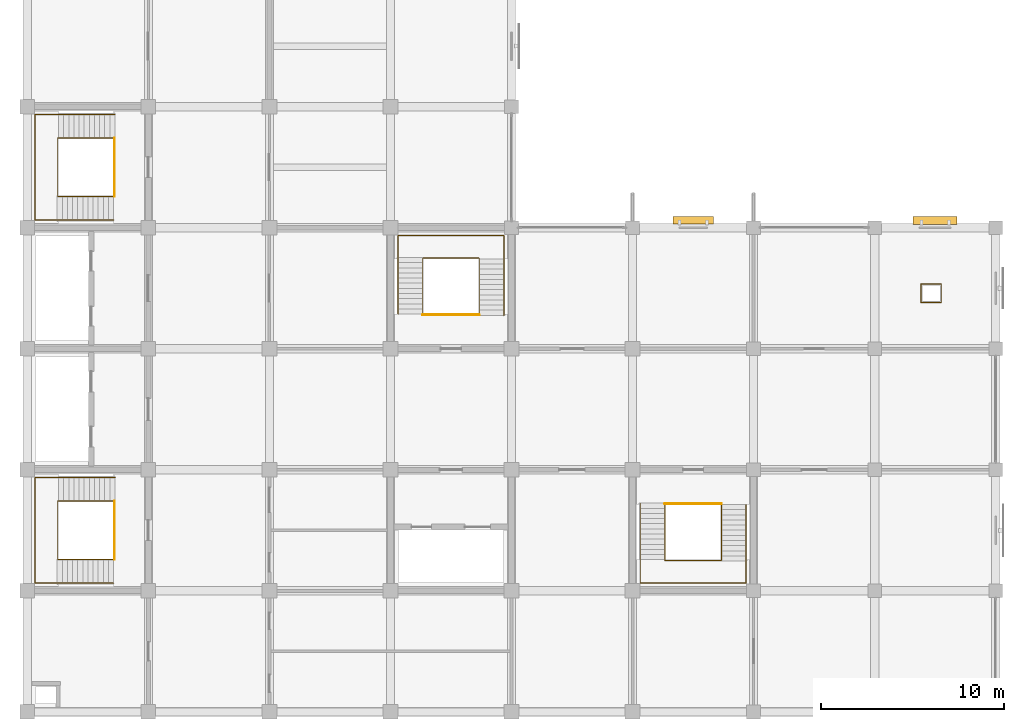
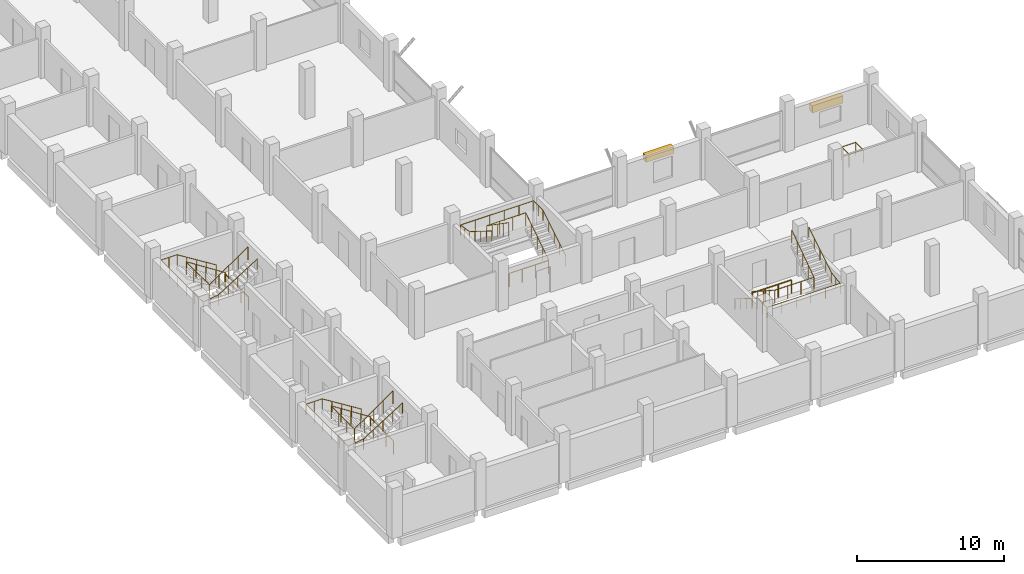
# One storey, part 17 of 18: 13 railings, 2 shading devices.
"""IFC4 building model written with IfcOpenShell, lengths in metres."""

from ifc_helpers import new_model, si_unit, direction, frame, origin, origin_2d, place, context, subcontext, project, spatial, rectangle, circle, extrude, material, type_object, element, save


model = new_model("IFC4")

# Units and contexts
model_context = context("Model", 3, precision=1e-05, world=origin(), true_north=direction((0.0, 1.0)))
body_context = subcontext(model_context, "Body", "Model", "MODEL_VIEW")
ifc_project = project(units=[si_unit("LENGTHUNIT", "METRE"), si_unit("AREAUNIT", "SQUARE_METRE"), si_unit("VOLUMEUNIT", "CUBIC_METRE"), si_unit("PLANEANGLEUNIT", "RADIAN"), si_unit("MASSUNIT", "GRAM", prefix="KILO")], contexts=[model_context])

# Site, building, storey
site_placement = place(None, origin())
site = spatial("IfcSite", under=ifc_project, at=site_placement, CompositionType="ELEMENT")
building_placement = place(site_placement, origin())
building = spatial("IfcBuilding", under=site, at=building_placement, Name="Rusizi Kubbe Research Institute", CompositionType="ELEMENT")
storey_placement = place(building_placement, frame((0.0, 0.0, 22.800048828125)))
storey = spatial("IfcBuildingStorey", under=building, at=storey_placement, Name="L05", CompositionType="ELEMENT", Elevation=22.800048828125)

# Railings
ifc_material_1 = material(Name="Painted Steel Stair Guard", Category="steel")
railing_type_1 = type_object("IfcRailingType", Name="GR-STAIR", PredefinedType="GUARDRAIL", material=ifc_material_1)
railing_1_placement = place(storey_placement, frame((4.780029296875, 11.489990234375, 0.08740234375)))
element("IfcRailing", 1, at=railing_1_placement, inside=storey, type_object=railing_type_1, Name="Stair Inner Well Guard ST1 L05", PredefinedType="GUARDRAIL", context=body_context, shape_type="SweptSolid", body=[
    extrude(circle(Radius=0.02392578125, at=origin_2d()), frame((0.0, 0.0, 1.09619140625), z_axis=(-0.840361383606, 0.0, 0.542026516828), x_axis=(0.0, -1.0, 0.0)), (0.0, 0.0, 1.0), 3.712890625),
    extrude(circle(Radius=0.02392578125, at=origin_2d()), frame((-3.1201171875, 0.0, 3.1083984375), z_axis=(0.0, -1.0, 0.0), x_axis=(1.0, 0.0, 0.0)), (0.0, 0.0, 1.0), 3.179931640625),
    extrude(circle(Radius=0.02392578125, at=origin_2d()), frame((-3.1201171875, -3.179931640625, 3.1083984375), z_axis=(0.82276741766, 0.0, 0.568378198419), x_axis=(0.0, 1.0, 0.0)), (0.0, 0.0, 1.0), 3.69482421875),
    extrude(circle(Radius=0.02099609375, at=origin_2d()), origin(), (0.0, 0.0, 1.0), 1.072021484375),
    extrude(circle(Radius=0.02099609375, at=origin_2d()), frame((-0.780029296875, 0.0, 0.503173828125)), (0.0, 0.0, 1.0), 1.072021484375),
    extrude(circle(Radius=0.02099609375, at=origin_2d()), frame((-1.56005859375, 0.0, 1.00634765625)), (0.0, 0.0, 1.0), 1.072021484375),
    extrude(circle(Radius=0.02099609375, at=origin_2d()), frame((-2.340087890625, 0.0, 1.50927734375)), (0.0, 0.0, 1.0), 1.072021484375),
    extrude(circle(Radius=0.02099609375, at=origin_2d()), frame((-3.1201171875, 0.0, 2.012451171875)), (0.0, 0.0, 1.0), 1.072021484375),
    extrude(circle(Radius=0.02099609375, at=origin_2d()), frame((-3.1201171875, -1.06005859375, 2.012451171875)), (0.0, 0.0, 1.0), 1.072021484375),
    extrude(circle(Radius=0.02099609375, at=origin_2d()), frame((-3.1201171875, -2.119873046875, 2.012451171875)), (0.0, 0.0, 1.0), 1.072021484375),
    extrude(circle(Radius=0.02099609375, at=origin_2d()), frame((-3.1201171875, -3.179931640625, 2.012451171875)), (0.0, 0.0, 1.0), 1.072021484375),
    extrude(circle(Radius=0.02099609375, at=origin_2d()), frame((-2.360107421875, -3.179931640625, 2.53759765625)), (0.0, 0.0, 1.0), 1.072021484375),
    extrude(circle(Radius=0.02099609375, at=origin_2d()), frame((-1.60009765625, -3.179931640625, 3.0625)), (0.0, 0.0, 1.0), 1.072021484375),
    extrude(circle(Radius=0.02099609375, at=origin_2d()), frame((-0.840087890625, -3.179931640625, 3.58740234375)), (0.0, 0.0, 1.0), 1.072021484375),
    extrude(circle(Radius=0.02099609375, at=origin_2d()), frame((-0.080078125, -3.179931640625, 4.112548828125)), (0.0, 0.0, 1.0), 1.072021484375),
])
railing_2_placement = place(storey_placement, frame((4.75, 11.489990234375, 0.0)))
element("IfcRailing", 2, at=railing_2_placement, inside=storey, type_object=railing_type_1, Name="Stair Floor Edge Guard ST1 L05", PredefinedType="GUARDRAIL", context=body_context, shape_type="SweptSolid", body=[
    extrude(circle(Radius=0.02392578125, at=origin_2d()), frame((0.0, 0.0, 1.09619140625), z_axis=(0.0, -1.0, 0.0), x_axis=(1.0, 0.0, 0.0)), (0.0, 0.0, 1.0), 3.179931640625),
    extrude(circle(Radius=0.02099609375, at=origin_2d()), origin(), (0.0, 0.0, 1.0), 1.072021484375),
    extrude(circle(Radius=0.02099609375, at=origin_2d()), frame((0.0, -1.06005859375, 0.0)), (0.0, 0.0, 1.0), 1.072021484375),
    extrude(circle(Radius=0.02099609375, at=origin_2d()), frame((0.0, -2.119873046875, 0.0)), (0.0, 0.0, 1.0), 1.072021484375),
    extrude(circle(Radius=0.02099609375, at=origin_2d()), frame((0.0, -3.179931640625, 0.0)), (0.0, 0.0, 1.0), 1.072021484375),
])
railing_3_placement = place(storey_placement, frame((4.780029296875, 31.2900390625, 0.08740234375)))
element("IfcRailing", 3, at=railing_3_placement, inside=storey, type_object=railing_type_1, Name="Stair Inner Well Guard ST2 L05", PredefinedType="GUARDRAIL", context=body_context, shape_type="SweptSolid", body=[
    extrude(circle(Radius=0.02392578125, at=origin_2d()), frame((0.0, 0.0, 1.09619140625), z_axis=(-0.840361383606, 0.0, 0.542026516828), x_axis=(0.0, -1.0, 0.0)), (0.0, 0.0, 1.0), 3.712890625),
    extrude(circle(Radius=0.02392578125, at=origin_2d()), frame((-3.1201171875, 0.0, 3.1083984375), z_axis=(0.0, -1.0, 0.0), x_axis=(1.0, 0.0, 0.0)), (0.0, 0.0, 1.0), 3.179931640625),
    extrude(circle(Radius=0.02392578125, at=origin_2d()), frame((-3.1201171875, -3.179931640625, 3.1083984375), z_axis=(0.82276741766, 0.0, 0.568378198419), x_axis=(0.0, 1.0, 0.0)), (0.0, 0.0, 1.0), 3.69482421875),
    extrude(circle(Radius=0.02099609375, at=origin_2d()), origin(), (0.0, 0.0, 1.0), 1.072021484375),
    extrude(circle(Radius=0.02099609375, at=origin_2d()), frame((-0.780029296875, 0.0, 0.503173828125)), (0.0, 0.0, 1.0), 1.072021484375),
    extrude(circle(Radius=0.02099609375, at=origin_2d()), frame((-1.56005859375, 0.0, 1.00634765625)), (0.0, 0.0, 1.0), 1.072021484375),
    extrude(circle(Radius=0.02099609375, at=origin_2d()), frame((-2.340087890625, 0.0, 1.50927734375)), (0.0, 0.0, 1.0), 1.072021484375),
    extrude(circle(Radius=0.02099609375, at=origin_2d()), frame((-3.1201171875, 0.0, 2.012451171875)), (0.0, 0.0, 1.0), 1.072021484375),
    extrude(circle(Radius=0.02099609375, at=origin_2d()), frame((-3.1201171875, -1.06005859375, 2.012451171875)), (0.0, 0.0, 1.0), 1.072021484375),
    extrude(circle(Radius=0.02099609375, at=origin_2d()), frame((-3.1201171875, -2.119873046875, 2.012451171875)), (0.0, 0.0, 1.0), 1.072021484375),
    extrude(circle(Radius=0.02099609375, at=origin_2d()), frame((-3.1201171875, -3.179931640625, 2.012451171875)), (0.0, 0.0, 1.0), 1.072021484375),
    extrude(circle(Radius=0.02099609375, at=origin_2d()), frame((-2.360107421875, -3.179931640625, 2.53759765625)), (0.0, 0.0, 1.0), 1.072021484375),
    extrude(circle(Radius=0.02099609375, at=origin_2d()), frame((-1.60009765625, -3.179931640625, 3.0625)), (0.0, 0.0, 1.0), 1.072021484375),
    extrude(circle(Radius=0.02099609375, at=origin_2d()), frame((-0.840087890625, -3.179931640625, 3.58740234375)), (0.0, 0.0, 1.0), 1.072021484375),
    extrude(circle(Radius=0.02099609375, at=origin_2d()), frame((-0.080078125, -3.179931640625, 4.112548828125)), (0.0, 0.0, 1.0), 1.072021484375),
])
railing_4_placement = place(storey_placement, frame((4.75, 31.2900390625, 0.0)))
element("IfcRailing", 4, at=railing_4_placement, inside=storey, type_object=railing_type_1, Name="Stair Floor Edge Guard ST2 L05", PredefinedType="GUARDRAIL", context=body_context, shape_type="SweptSolid", body=[
    extrude(circle(Radius=0.02392578125, at=origin_2d()), frame((0.0, 0.0, 1.09619140625), z_axis=(0.0, -1.0, 0.0), x_axis=(1.0, 0.0, 0.0)), (0.0, 0.0, 1.0), 3.179931640625),
    extrude(circle(Radius=0.02099609375, at=origin_2d()), origin(), (0.0, 0.0, 1.0), 1.072021484375),
    extrude(circle(Radius=0.02099609375, at=origin_2d()), frame((0.0, -1.06005859375, 0.0)), (0.0, 0.0, 1.0), 1.072021484375),
    extrude(circle(Radius=0.02099609375, at=origin_2d()), frame((0.0, -2.119873046875, 0.0)), (0.0, 0.0, 1.0), 1.072021484375),
    extrude(circle(Radius=0.02099609375, at=origin_2d()), frame((0.0, -3.179931640625, 0.0)), (0.0, 0.0, 1.0), 1.072021484375),
])
railing_5_placement = place(storey_placement, frame((24.639892578125, 21.6201171875, 0.08740234375)))
element("IfcRailing", 5, at=railing_5_placement, inside=storey, type_object=railing_type_1, Name="Stair Inner Well Guard ST3 L05", PredefinedType="GUARDRAIL", context=body_context, shape_type="SweptSolid", body=[
    extrude(circle(Radius=0.02392578125, at=origin_2d()), frame((0.0, 0.0, 1.09619140625), z_axis=(0.0, 0.840342063375, 0.542056469865), x_axis=(-1.0, 0.0, 0.0)), (0.0, 0.0, 1.0), 3.712646484375),
    extrude(circle(Radius=0.02392578125, at=origin_2d()), frame((0.0, 3.119873046875, 3.1083984375), z_axis=(-1.0, 0.0, 0.0), x_axis=(0.0, -1.0, 0.0)), (0.0, 0.0, 1.0), 3.079833984375),
    extrude(circle(Radius=0.02392578125, at=origin_2d()), frame((-3.079833984375, 3.119873046875, 3.1083984375), z_axis=(0.0, -0.82276741766, 0.568378198419), x_axis=(1.0, 0.0, 0.0)), (0.0, 0.0, 1.0), 3.69482421875),
    extrude(circle(Radius=0.02099609375, at=origin_2d()), origin(), (0.0, 0.0, 1.0), 1.072021484375),
    extrude(circle(Radius=0.02099609375, at=origin_2d()), frame((0.0, 0.780029296875, 0.503173828125)), (0.0, 0.0, 1.0), 1.072021484375),
    extrude(circle(Radius=0.02099609375, at=origin_2d()), frame((0.0, 1.56005859375, 1.00634765625)), (0.0, 0.0, 1.0), 1.072021484375),
    extrude(circle(Radius=0.02099609375, at=origin_2d()), frame((0.0, 2.33984375, 1.50927734375)), (0.0, 0.0, 1.0), 1.072021484375),
    extrude(circle(Radius=0.02099609375, at=origin_2d()), frame((0.0, 3.119873046875, 2.012451171875)), (0.0, 0.0, 1.0), 1.072021484375),
    extrude(circle(Radius=0.02099609375, at=origin_2d()), frame((-1.026611328125, 3.119873046875, 2.012451171875)), (0.0, 0.0, 1.0), 1.072021484375),
    extrude(circle(Radius=0.02099609375, at=origin_2d()), frame((-2.05322265625, 3.119873046875, 2.012451171875)), (0.0, 0.0, 1.0), 1.072021484375),
    extrude(circle(Radius=0.02099609375, at=origin_2d()), frame((-3.079833984375, 3.119873046875, 2.012451171875)), (0.0, 0.0, 1.0), 1.072021484375),
    extrude(circle(Radius=0.02099609375, at=origin_2d()), frame((-3.079833984375, 2.35986328125, 2.53759765625)), (0.0, 0.0, 1.0), 1.072021484375),
    extrude(circle(Radius=0.02099609375, at=origin_2d()), frame((-3.079833984375, 1.599853515625, 3.0625)), (0.0, 0.0, 1.0), 1.072021484375),
    extrude(circle(Radius=0.02099609375, at=origin_2d()), frame((-3.079833984375, 0.83984375, 3.58740234375)), (0.0, 0.0, 1.0), 1.072021484375),
    extrude(circle(Radius=0.02099609375, at=origin_2d()), frame((-3.079833984375, 0.079833984375, 4.112548828125)), (0.0, 0.0, 1.0), 1.072021484375),
])
railing_6_placement = place(storey_placement, frame((24.639892578125, 21.64990234375, 0.0)))
element("IfcRailing", 6, at=railing_6_placement, inside=storey, type_object=railing_type_1, Name="Stair Floor Edge Guard ST3 L05", PredefinedType="GUARDRAIL", context=body_context, shape_type="SweptSolid", body=[
    extrude(circle(Radius=0.02392578125, at=origin_2d()), frame((0.0, 0.0, 1.09619140625), z_axis=(-1.0, 0.0, 0.0), x_axis=(0.0, -1.0, 0.0)), (0.0, 0.0, 1.0), 3.079833984375),
    extrude(circle(Radius=0.02099609375, at=origin_2d()), origin(), (0.0, 0.0, 1.0), 1.072021484375),
    extrude(circle(Radius=0.02099609375, at=origin_2d()), frame((-1.026611328125, 0.0, 0.0)), (0.0, 0.0, 1.0), 1.072021484375),
    extrude(circle(Radius=0.02099609375, at=origin_2d()), frame((-2.05322265625, 0.0, 0.0)), (0.0, 0.0, 1.0), 1.072021484375),
    extrude(circle(Radius=0.02099609375, at=origin_2d()), frame((-3.079833984375, 0.0, 0.0)), (0.0, 0.0, 1.0), 1.072021484375),
])
railing_7_placement = place(storey_placement, frame((34.760009765625, 11.3798828125, 0.08740234375)))
element("IfcRailing", 7, at=railing_7_placement, inside=storey, type_object=railing_type_1, Name="Stair Inner Well Guard ST4 L05", PredefinedType="GUARDRAIL", context=body_context, shape_type="SweptSolid", body=[
    extrude(circle(Radius=0.02392578125, at=origin_2d()), frame((0.0, 0.0, 1.09619140625), z_axis=(0.0, -0.840342063375, 0.542056469865), x_axis=(1.0, 0.0, 0.0)), (0.0, 0.0, 1.0), 3.712646484375),
    extrude(circle(Radius=0.02392578125, at=origin_2d()), frame((0.0, -3.119873046875, 3.1083984375), z_axis=(1.0, 0.0, 0.0), x_axis=(0.0, 1.0, 0.0)), (0.0, 0.0, 1.0), 3.080078125),
    extrude(circle(Radius=0.02392578125, at=origin_2d()), frame((3.080078125, -3.119873046875, 3.1083984375), z_axis=(0.0, 0.82276741766, 0.568378198419), x_axis=(-1.0, 0.0, 0.0)), (0.0, 0.0, 1.0), 3.69482421875),
    extrude(circle(Radius=0.02099609375, at=origin_2d()), origin(), (0.0, 0.0, 1.0), 1.072021484375),
    extrude(circle(Radius=0.02099609375, at=origin_2d()), frame((0.0, -0.780029296875, 0.503173828125)), (0.0, 0.0, 1.0), 1.072021484375),
    extrude(circle(Radius=0.02099609375, at=origin_2d()), frame((0.0, -1.56005859375, 1.00634765625)), (0.0, 0.0, 1.0), 1.072021484375),
    extrude(circle(Radius=0.02099609375, at=origin_2d()), frame((0.0, -2.33984375, 1.50927734375)), (0.0, 0.0, 1.0), 1.072021484375),
    extrude(circle(Radius=0.02099609375, at=origin_2d()), frame((0.0, -3.119873046875, 2.012451171875)), (0.0, 0.0, 1.0), 1.072021484375),
    extrude(circle(Radius=0.02099609375, at=origin_2d()), frame((1.026611328125, -3.119873046875, 2.012451171875)), (0.0, 0.0, 1.0), 1.072021484375),
    extrude(circle(Radius=0.02099609375, at=origin_2d()), frame((2.053466796875, -3.119873046875, 2.012451171875)), (0.0, 0.0, 1.0), 1.072021484375),
    extrude(circle(Radius=0.02099609375, at=origin_2d()), frame((3.080078125, -3.119873046875, 2.012451171875)), (0.0, 0.0, 1.0), 1.072021484375),
    extrude(circle(Radius=0.02099609375, at=origin_2d()), frame((3.080078125, -2.35986328125, 2.53759765625)), (0.0, 0.0, 1.0), 1.072021484375),
    extrude(circle(Radius=0.02099609375, at=origin_2d()), frame((3.080078125, -1.599853515625, 3.0625)), (0.0, 0.0, 1.0), 1.072021484375),
    extrude(circle(Radius=0.02099609375, at=origin_2d()), frame((3.080078125, -0.83984375, 3.58740234375)), (0.0, 0.0, 1.0), 1.072021484375),
    extrude(circle(Radius=0.02099609375, at=origin_2d()), frame((3.080078125, -0.079833984375, 4.112548828125)), (0.0, 0.0, 1.0), 1.072021484375),
])
railing_8_placement = place(storey_placement, frame((34.760009765625, 11.35009765625, 0.0)))
element("IfcRailing", 8, at=railing_8_placement, inside=storey, type_object=railing_type_1, Name="Stair Floor Edge Guard ST4 L05", PredefinedType="GUARDRAIL", context=body_context, shape_type="SweptSolid", body=[
    extrude(circle(Radius=0.02392578125, at=origin_2d()), frame((0.0, 0.0, 1.09619140625), z_axis=(1.0, 0.0, 0.0), x_axis=(0.0, 1.0, 0.0)), (0.0, 0.0, 1.0), 3.080078125),
    extrude(circle(Radius=0.02099609375, at=origin_2d()), origin(), (0.0, 0.0, 1.0), 1.072021484375),
    extrude(circle(Radius=0.02099609375, at=origin_2d()), frame((1.026611328125, 0.0, 0.0)), (0.0, 0.0, 1.0), 1.072021484375),
    extrude(circle(Radius=0.02099609375, at=origin_2d()), frame((2.053466796875, 0.0, 0.0)), (0.0, 0.0, 1.0), 1.072021484375),
    extrude(circle(Radius=0.02099609375, at=origin_2d()), frame((3.080078125, 0.0, 0.0)), (0.0, 0.0, 1.0), 1.072021484375),
])
railing_9_placement = place(storey_placement, frame((48.719970703125, 22.320068359375, 0.0)))
element("IfcRailing", 9, at=railing_9_placement, inside=storey, type_object=railing_type_1, Name="Service Riser Guard L05 EAST", PredefinedType="GUARDRAIL", context=body_context, shape_type="SweptSolid", body=[
    extrude(circle(Radius=0.02392578125, at=origin_2d()), frame((0.0, 0.0, 1.09619140625), z_axis=(1.0, 0.0, 0.0), x_axis=(0.0, 1.0, 0.0)), (0.0, 0.0, 1.0), 1.110107421875),
    extrude(circle(Radius=0.02392578125, at=origin_2d()), frame((1.110107421875, 0.0, 1.09619140625), z_axis=(0.0, 1.0, 0.0), x_axis=(-1.0, 0.0, 0.0)), (0.0, 0.0, 1.0), 1.010009765625),
    extrude(circle(Radius=0.02392578125, at=origin_2d()), frame((1.110107421875, 1.010009765625, 1.09619140625), z_axis=(-1.0, 0.0, 0.0), x_axis=(0.0, -1.0, 0.0)), (0.0, 0.0, 1.0), 1.110107421875),
    extrude(circle(Radius=0.02392578125, at=origin_2d()), frame((0.0, 1.010009765625, 1.09619140625), z_axis=(0.0, -1.0, 0.0), x_axis=(1.0, 0.0, 0.0)), (0.0, 0.0, 1.0), 1.010009765625),
    extrude(circle(Radius=0.02099609375, at=origin_2d()), origin(), (0.0, 0.0, 1.0), 1.072021484375),
    extrude(circle(Radius=0.02099609375, at=origin_2d()), frame((1.110107421875, 0.0, 0.0)), (0.0, 0.0, 1.0), 1.072021484375),
    extrude(circle(Radius=0.02099609375, at=origin_2d()), frame((1.110107421875, 1.010009765625, 0.0)), (0.0, 0.0, 1.0), 1.072021484375),
    extrude(circle(Radius=0.02099609375, at=origin_2d()), frame((0.0, 1.010009765625, 0.0)), (0.0, 0.0, 1.0), 1.072021484375),
])
ifc_material_2 = material(Name="Brushed Stainless Steel Handrail", Category="steel")
railing_type_2 = type_object("IfcRailingType", Name="HR-STAIR", PredefinedType="HANDRAIL", material=ifc_material_2)
railing_10_placement = place(storey_placement, frame((4.780029296875, 12.780029296875, 0.175048828125)))
element("IfcRailing", 10, at=railing_10_placement, inside=storey, type_object=railing_type_2, Name="Stair Wall Handrail ST1 L05", PredefinedType="HANDRAIL", context=body_context, shape_type="SweptSolid", body=[
    extrude(circle(Radius=0.02392578125, at=origin_2d()), frame((0.0, 0.0, 0.8759765625), z_axis=(-0.848028513186, 0.0, 0.529950602248), x_axis=(0.0, -1.0, 0.0)), (0.0, 0.0, 1.0), 3.632080078125),
    extrude(circle(Radius=0.02392578125, at=origin_2d()), frame((-3.080078125, 0.0, 2.80078125), z_axis=(-1.0, 0.0, 0.0), x_axis=(0.0, -1.0, 0.0)), (0.0, 0.0, 1.0), 1.280029296875),
    extrude(circle(Radius=0.02392578125, at=origin_2d()), frame((-4.360107421875, 0.0, 2.80078125), z_axis=(0.0, -1.0, 0.0), x_axis=(1.0, 0.0, 0.0)), (0.0, 0.0, 1.0), 5.760009765625),
    extrude(circle(Radius=0.02392578125, at=origin_2d()), frame((-4.360107421875, -5.760009765625, 2.80078125), z_axis=(0.989630492691, 0.0, 0.143636652482), x_axis=(0.0, 1.0, 0.0)), (0.0, 0.0, 1.0), 1.21875),
    extrude(circle(Radius=0.02392578125, at=origin_2d()), frame((-3.154052734375, -5.760009765625, 2.9755859375), z_axis=(0.847525270172, 0.0, 0.530755043706), x_axis=(0.0, 1.0, 0.0)), (0.0, 0.0, 1.0), 3.626953125),
    extrude(circle(Radius=0.02099609375, at=origin_2d()), origin(), (0.0, 0.0, 1.0), 0.851806640625),
    extrude(circle(Radius=0.02099609375, at=origin_2d()), frame((-0.77001953125, 0.0, 0.481201171875)), (0.0, 0.0, 1.0), 0.851806640625),
    extrude(circle(Radius=0.02099609375, at=origin_2d()), frame((-1.5400390625, 0.0, 0.96240234375)), (0.0, 0.0, 1.0), 0.851806640625),
    extrude(circle(Radius=0.02099609375, at=origin_2d()), frame((-2.31005859375, 0.0, 1.443603515625)), (0.0, 0.0, 1.0), 0.851806640625),
    extrude(circle(Radius=0.02099609375, at=origin_2d()), frame((-3.080078125, 0.0, 1.9248046875)), (0.0, 0.0, 1.0), 0.851806640625),
    extrude(circle(Radius=0.02099609375, at=origin_2d()), frame((-3.72021484375, 0.0, 1.9248046875)), (0.0, 0.0, 1.0), 0.851806640625),
    extrude(circle(Radius=0.02099609375, at=origin_2d()), frame((-4.360107421875, 0.0, 1.9248046875)), (0.0, 0.0, 1.0), 0.851806640625),
    extrude(circle(Radius=0.02099609375, at=origin_2d()), frame((-4.360107421875, -1.152099609375, 1.9248046875)), (0.0, 0.0, 1.0), 0.851806640625),
    extrude(circle(Radius=0.02099609375, at=origin_2d()), frame((-4.360107421875, -2.303955078125, 1.9248046875)), (0.0, 0.0, 1.0), 0.851806640625),
    extrude(circle(Radius=0.02099609375, at=origin_2d()), frame((-4.360107421875, -3.4560546875, 1.9248046875)), (0.0, 0.0, 1.0), 0.851806640625),
    extrude(circle(Radius=0.02099609375, at=origin_2d()), frame((-4.360107421875, -4.60791015625, 1.9248046875)), (0.0, 0.0, 1.0), 0.851806640625),
    extrude(circle(Radius=0.02099609375, at=origin_2d()), frame((-4.360107421875, -5.760009765625, 1.9248046875)), (0.0, 0.0, 1.0), 0.851806640625),
    extrude(circle(Radius=0.02099609375, at=origin_2d()), frame((-3.757080078125, -5.760009765625, 2.01220703125)), (0.0, 0.0, 1.0), 0.851806640625),
    extrude(circle(Radius=0.02099609375, at=origin_2d()), frame((-3.154052734375, -5.760009765625, 2.099853515625)), (0.0, 0.0, 1.0), 0.851806640625),
    extrude(circle(Radius=0.02099609375, at=origin_2d()), frame((-2.385498046875, -5.760009765625, 2.5810546875)), (0.0, 0.0, 1.0), 0.851806640625),
    extrude(circle(Radius=0.02099609375, at=origin_2d()), frame((-1.6171875, -5.760009765625, 3.0625)), (0.0, 0.0, 1.0), 0.851806640625),
    extrude(circle(Radius=0.02099609375, at=origin_2d()), frame((-0.8486328125, -5.760009765625, 3.543701171875)), (0.0, 0.0, 1.0), 0.851806640625),
    extrude(circle(Radius=0.02099609375, at=origin_2d()), frame((-0.080078125, -5.760009765625, 4.02490234375)), (0.0, 0.0, 1.0), 0.851806640625),
])
railing_11_placement = place(storey_placement, frame((4.780029296875, 32.580078125, 0.175048828125)))
element("IfcRailing", 11, at=railing_11_placement, inside=storey, type_object=railing_type_2, Name="Stair Wall Handrail ST2 L05", PredefinedType="HANDRAIL", context=body_context, shape_type="SweptSolid", body=[
    extrude(circle(Radius=0.02392578125, at=origin_2d()), frame((0.0, 0.0, 0.8759765625), z_axis=(-0.848028513186, 0.0, 0.529950602248), x_axis=(0.0, -1.0, 0.0)), (0.0, 0.0, 1.0), 3.632080078125),
    extrude(circle(Radius=0.02392578125, at=origin_2d()), frame((-3.080078125, 0.0, 2.80078125), z_axis=(-1.0, 0.0, 0.0), x_axis=(0.0, -1.0, 0.0)), (0.0, 0.0, 1.0), 1.280029296875),
    extrude(circle(Radius=0.02392578125, at=origin_2d()), frame((-4.360107421875, 0.0, 2.80078125), z_axis=(0.0, -1.0, 0.0), x_axis=(1.0, 0.0, 0.0)), (0.0, 0.0, 1.0), 5.760009765625),
    extrude(circle(Radius=0.02392578125, at=origin_2d()), frame((-4.360107421875, -5.760009765625, 2.80078125), z_axis=(0.989630492691, 0.0, 0.143636652482), x_axis=(0.0, 1.0, 0.0)), (0.0, 0.0, 1.0), 1.21875),
    extrude(circle(Radius=0.02392578125, at=origin_2d()), frame((-3.154052734375, -5.760009765625, 2.9755859375), z_axis=(0.847525270172, 0.0, 0.530755043706), x_axis=(0.0, 1.0, 0.0)), (0.0, 0.0, 1.0), 3.626953125),
    extrude(circle(Radius=0.02099609375, at=origin_2d()), origin(), (0.0, 0.0, 1.0), 0.851806640625),
    extrude(circle(Radius=0.02099609375, at=origin_2d()), frame((-0.77001953125, 0.0, 0.481201171875)), (0.0, 0.0, 1.0), 0.851806640625),
    extrude(circle(Radius=0.02099609375, at=origin_2d()), frame((-1.5400390625, 0.0, 0.96240234375)), (0.0, 0.0, 1.0), 0.851806640625),
    extrude(circle(Radius=0.02099609375, at=origin_2d()), frame((-2.31005859375, 0.0, 1.443603515625)), (0.0, 0.0, 1.0), 0.851806640625),
    extrude(circle(Radius=0.02099609375, at=origin_2d()), frame((-3.080078125, 0.0, 1.9248046875)), (0.0, 0.0, 1.0), 0.851806640625),
    extrude(circle(Radius=0.02099609375, at=origin_2d()), frame((-3.72021484375, 0.0, 1.9248046875)), (0.0, 0.0, 1.0), 0.851806640625),
    extrude(circle(Radius=0.02099609375, at=origin_2d()), frame((-4.360107421875, 0.0, 1.9248046875)), (0.0, 0.0, 1.0), 0.851806640625),
    extrude(circle(Radius=0.02099609375, at=origin_2d()), frame((-4.360107421875, -1.152099609375, 1.9248046875)), (0.0, 0.0, 1.0), 0.851806640625),
    extrude(circle(Radius=0.02099609375, at=origin_2d()), frame((-4.360107421875, -2.303955078125, 1.9248046875)), (0.0, 0.0, 1.0), 0.851806640625),
    extrude(circle(Radius=0.02099609375, at=origin_2d()), frame((-4.360107421875, -3.4560546875, 1.9248046875)), (0.0, 0.0, 1.0), 0.851806640625),
    extrude(circle(Radius=0.02099609375, at=origin_2d()), frame((-4.360107421875, -4.60791015625, 1.9248046875)), (0.0, 0.0, 1.0), 0.851806640625),
    extrude(circle(Radius=0.02099609375, at=origin_2d()), frame((-4.360107421875, -5.760009765625, 1.9248046875)), (0.0, 0.0, 1.0), 0.851806640625),
    extrude(circle(Radius=0.02099609375, at=origin_2d()), frame((-3.757080078125, -5.760009765625, 2.01220703125)), (0.0, 0.0, 1.0), 0.851806640625),
    extrude(circle(Radius=0.02099609375, at=origin_2d()), frame((-3.154052734375, -5.760009765625, 2.099853515625)), (0.0, 0.0, 1.0), 0.851806640625),
    extrude(circle(Radius=0.02099609375, at=origin_2d()), frame((-2.385498046875, -5.760009765625, 2.5810546875)), (0.0, 0.0, 1.0), 0.851806640625),
    extrude(circle(Radius=0.02099609375, at=origin_2d()), frame((-1.6171875, -5.760009765625, 3.0625)), (0.0, 0.0, 1.0), 0.851806640625),
    extrude(circle(Radius=0.02099609375, at=origin_2d()), frame((-0.8486328125, -5.760009765625, 3.543701171875)), (0.0, 0.0, 1.0), 0.851806640625),
    extrude(circle(Radius=0.02099609375, at=origin_2d()), frame((-0.080078125, -5.760009765625, 4.02490234375)), (0.0, 0.0, 1.0), 0.851806640625),
])
railing_12_placement = place(storey_placement, frame((25.97998046875, 21.6201171875, 0.175048828125)))
element("IfcRailing", 12, at=railing_12_placement, inside=storey, type_object=railing_type_2, Name="Stair Wall Handrail ST3 L05", PredefinedType="HANDRAIL", context=body_context, shape_type="SweptSolid", body=[
    extrude(circle(Radius=0.02392578125, at=origin_2d()), frame((0.0, 0.0, 0.8759765625), z_axis=(0.0, 0.848009633417, 0.529980812513), x_axis=(-1.0, 0.0, 0.0)), (0.0, 0.0, 1.0), 3.6318359375),
    extrude(circle(Radius=0.02392578125, at=origin_2d()), frame((0.0, 3.079833984375, 2.80078125), z_axis=(0.0, 1.0, 0.0), x_axis=(-1.0, 0.0, 0.0)), (0.0, 0.0, 1.0), 1.280029296875),
    extrude(circle(Radius=0.02392578125, at=origin_2d()), frame((0.0, 4.35986328125, 2.80078125), z_axis=(-1.0, 0.0, 0.0), x_axis=(0.0, -1.0, 0.0)), (0.0, 0.0, 1.0), 5.760009765625),
    extrude(circle(Radius=0.02392578125, at=origin_2d()), frame((-5.760009765625, 4.35986328125, 2.80078125), z_axis=(0.0, -0.989630492691, 0.143636652482), x_axis=(1.0, 0.0, 0.0)), (0.0, 0.0, 1.0), 1.21875),
    extrude(circle(Radius=0.02392578125, at=origin_2d()), frame((-5.760009765625, 3.15380859375, 2.9755859375), z_axis=(0.0, -0.847525270172, 0.530755043706), x_axis=(1.0, 0.0, 0.0)), (0.0, 0.0, 1.0), 3.626953125),
    extrude(circle(Radius=0.02099609375, at=origin_2d()), origin(), (0.0, 0.0, 1.0), 0.851806640625),
    extrude(circle(Radius=0.02099609375, at=origin_2d()), frame((0.0, 0.77001953125, 0.481201171875)), (0.0, 0.0, 1.0), 0.851806640625),
    extrude(circle(Radius=0.02099609375, at=origin_2d()), frame((0.0, 1.5400390625, 0.96240234375)), (0.0, 0.0, 1.0), 0.851806640625),
    extrude(circle(Radius=0.02099609375, at=origin_2d()), frame((0.0, 2.309814453125, 1.443603515625)), (0.0, 0.0, 1.0), 0.851806640625),
    extrude(circle(Radius=0.02099609375, at=origin_2d()), frame((0.0, 3.079833984375, 1.9248046875)), (0.0, 0.0, 1.0), 0.851806640625),
    extrude(circle(Radius=0.02099609375, at=origin_2d()), frame((0.0, 3.7197265625, 1.9248046875)), (0.0, 0.0, 1.0), 0.851806640625),
    extrude(circle(Radius=0.02099609375, at=origin_2d()), frame((0.0, 4.35986328125, 1.9248046875)), (0.0, 0.0, 1.0), 0.851806640625),
    extrude(circle(Radius=0.02099609375, at=origin_2d()), frame((-1.152099609375, 4.35986328125, 1.9248046875)), (0.0, 0.0, 1.0), 0.851806640625),
    extrude(circle(Radius=0.02099609375, at=origin_2d()), frame((-2.303955078125, 4.35986328125, 1.9248046875)), (0.0, 0.0, 1.0), 0.851806640625),
    extrude(circle(Radius=0.02099609375, at=origin_2d()), frame((-3.4560546875, 4.35986328125, 1.9248046875)), (0.0, 0.0, 1.0), 0.851806640625),
    extrude(circle(Radius=0.02099609375, at=origin_2d()), frame((-4.60791015625, 4.35986328125, 1.9248046875)), (0.0, 0.0, 1.0), 0.851806640625),
    extrude(circle(Radius=0.02099609375, at=origin_2d()), frame((-5.760009765625, 4.35986328125, 1.9248046875)), (0.0, 0.0, 1.0), 0.851806640625),
    extrude(circle(Radius=0.02099609375, at=origin_2d()), frame((-5.760009765625, 3.7568359375, 2.01220703125)), (0.0, 0.0, 1.0), 0.851806640625),
    extrude(circle(Radius=0.02099609375, at=origin_2d()), frame((-5.760009765625, 3.15380859375, 2.099853515625)), (0.0, 0.0, 1.0), 0.851806640625),
    extrude(circle(Radius=0.02099609375, at=origin_2d()), frame((-5.760009765625, 2.38525390625, 2.5810546875)), (0.0, 0.0, 1.0), 0.851806640625),
    extrude(circle(Radius=0.02099609375, at=origin_2d()), frame((-5.760009765625, 1.61669921875, 3.0625)), (0.0, 0.0, 1.0), 0.851806640625),
    extrude(circle(Radius=0.02099609375, at=origin_2d()), frame((-5.760009765625, 0.848388671875, 3.543701171875)), (0.0, 0.0, 1.0), 0.851806640625),
    extrude(circle(Radius=0.02099609375, at=origin_2d()), frame((-5.760009765625, 0.079833984375, 4.02490234375)), (0.0, 0.0, 1.0), 0.851806640625),
])
railing_13_placement = place(storey_placement, frame((33.419921875, 11.3798828125, 0.175048828125)))
element("IfcRailing", 13, at=railing_13_placement, inside=storey, type_object=railing_type_2, Name="Stair Wall Handrail ST4 L05", PredefinedType="HANDRAIL", context=body_context, shape_type="SweptSolid", body=[
    extrude(circle(Radius=0.02392578125, at=origin_2d()), frame((0.0, 0.0, 0.8759765625), z_axis=(0.0, -0.848009633417, 0.529980812513), x_axis=(1.0, 0.0, 0.0)), (0.0, 0.0, 1.0), 3.6318359375),
    extrude(circle(Radius=0.02392578125, at=origin_2d()), frame((0.0, -3.079833984375, 2.80078125), z_axis=(0.0, -1.0, 0.0), x_axis=(1.0, 0.0, 0.0)), (0.0, 0.0, 1.0), 1.280029296875),
    extrude(circle(Radius=0.02392578125, at=origin_2d()), frame((0.0, -4.35986328125, 2.80078125), z_axis=(1.0, 0.0, 0.0), x_axis=(0.0, 1.0, 0.0)), (0.0, 0.0, 1.0), 5.760009765625),
    extrude(circle(Radius=0.02392578125, at=origin_2d()), frame((5.760009765625, -4.35986328125, 2.80078125), z_axis=(0.0, 0.989630492691, 0.143636652482), x_axis=(-1.0, 0.0, 0.0)), (0.0, 0.0, 1.0), 1.21875),
    extrude(circle(Radius=0.02392578125, at=origin_2d()), frame((5.760009765625, -3.15380859375, 2.9755859375), z_axis=(0.0, 0.847525270172, 0.530755043706), x_axis=(-1.0, 0.0, 0.0)), (0.0, 0.0, 1.0), 3.626953125),
    extrude(circle(Radius=0.02099609375, at=origin_2d()), origin(), (0.0, 0.0, 1.0), 0.851806640625),
    extrude(circle(Radius=0.02099609375, at=origin_2d()), frame((0.0, -0.77001953125, 0.481201171875)), (0.0, 0.0, 1.0), 0.851806640625),
    extrude(circle(Radius=0.02099609375, at=origin_2d()), frame((0.0, -1.5400390625, 0.96240234375)), (0.0, 0.0, 1.0), 0.851806640625),
    extrude(circle(Radius=0.02099609375, at=origin_2d()), frame((0.0, -2.309814453125, 1.443603515625)), (0.0, 0.0, 1.0), 0.851806640625),
    extrude(circle(Radius=0.02099609375, at=origin_2d()), frame((0.0, -3.079833984375, 1.9248046875)), (0.0, 0.0, 1.0), 0.851806640625),
    extrude(circle(Radius=0.02099609375, at=origin_2d()), frame((0.0, -3.7197265625, 1.9248046875)), (0.0, 0.0, 1.0), 0.851806640625),
    extrude(circle(Radius=0.02099609375, at=origin_2d()), frame((0.0, -4.35986328125, 1.9248046875)), (0.0, 0.0, 1.0), 0.851806640625),
    extrude(circle(Radius=0.02099609375, at=origin_2d()), frame((1.152099609375, -4.35986328125, 1.9248046875)), (0.0, 0.0, 1.0), 0.851806640625),
    extrude(circle(Radius=0.02099609375, at=origin_2d()), frame((2.303955078125, -4.35986328125, 1.9248046875)), (0.0, 0.0, 1.0), 0.851806640625),
    extrude(circle(Radius=0.02099609375, at=origin_2d()), frame((3.4560546875, -4.35986328125, 1.9248046875)), (0.0, 0.0, 1.0), 0.851806640625),
    extrude(circle(Radius=0.02099609375, at=origin_2d()), frame((4.60791015625, -4.35986328125, 1.9248046875)), (0.0, 0.0, 1.0), 0.851806640625),
    extrude(circle(Radius=0.02099609375, at=origin_2d()), frame((5.760009765625, -4.35986328125, 1.9248046875)), (0.0, 0.0, 1.0), 0.851806640625),
    extrude(circle(Radius=0.02099609375, at=origin_2d()), frame((5.760009765625, -3.7568359375, 2.01220703125)), (0.0, 0.0, 1.0), 0.851806640625),
    extrude(circle(Radius=0.02099609375, at=origin_2d()), frame((5.760009765625, -3.15380859375, 2.099853515625)), (0.0, 0.0, 1.0), 0.851806640625),
    extrude(circle(Radius=0.02099609375, at=origin_2d()), frame((5.760009765625, -2.38525390625, 2.5810546875)), (0.0, 0.0, 1.0), 0.851806640625),
    extrude(circle(Radius=0.02099609375, at=origin_2d()), frame((5.760009765625, -1.61669921875, 3.0625)), (0.0, 0.0, 1.0), 0.851806640625),
    extrude(circle(Radius=0.02099609375, at=origin_2d()), frame((5.760009765625, -0.848388671875, 3.543701171875)), (0.0, 0.0, 1.0), 0.851806640625),
    extrude(circle(Radius=0.02099609375, at=origin_2d()), frame((5.760009765625, -0.079833984375, 4.02490234375)), (0.0, 0.0, 1.0), 0.851806640625),
])

# Shading devices
ifc_material_3 = material(Name="Extruded Aluminium Solar Louver", Category="aluminium")
shading_device_type_1 = type_object("IfcShadingDeviceType", Name="SD-01", PredefinedType="SHUTTER", material=ifc_material_3)
shading_device_1_placement = place(storey_placement, frame((49.5, 26.797607421875, 2.08984375), z_axis=(0.0, 0.0, 1.0), x_axis=(1.0, 0.0, 0.0)))
element("IfcShadingDevice", 14, at=shading_device_1_placement, inside=storey, type_object=shading_device_type_1, Name="Solar Shading Louver SD-01-036", PredefinedType="SHUTTER", context=body_context, shape_type="SweptSolid", body=[
    extrude(rectangle(XDim=2.39990234375, YDim=0.419921875, at=origin_2d()), origin(), (0.0, 0.0, 1.0), 0.60009765625),
])
ifc_material_4 = material(Name="Extruded Aluminium Solar Louver", Category="aluminium")
shading_device_type_2 = type_object("IfcShadingDeviceType", Name="SD-04", PredefinedType="SHUTTER", material=ifc_material_4)
shading_device_2_placement = place(storey_placement, frame((36.300048828125, 26.8125, 2.5546875), z_axis=(0.0, 0.0, 1.0), x_axis=(1.0, 0.0, 0.0)))
element("IfcShadingDevice", 15, at=shading_device_2_placement, inside=storey, type_object=shading_device_type_2, Name="Solar Shading Louver SD-04-035", PredefinedType="SHUTTER", context=body_context, shape_type="SweptSolid", body=[
    extrude(rectangle(XDim=2.199951171875, YDim=0.419921875, at=origin_2d()), origin(), (0.0, 0.0, 1.0), 0.550048828125),
])

save(model, "model.ifc")
